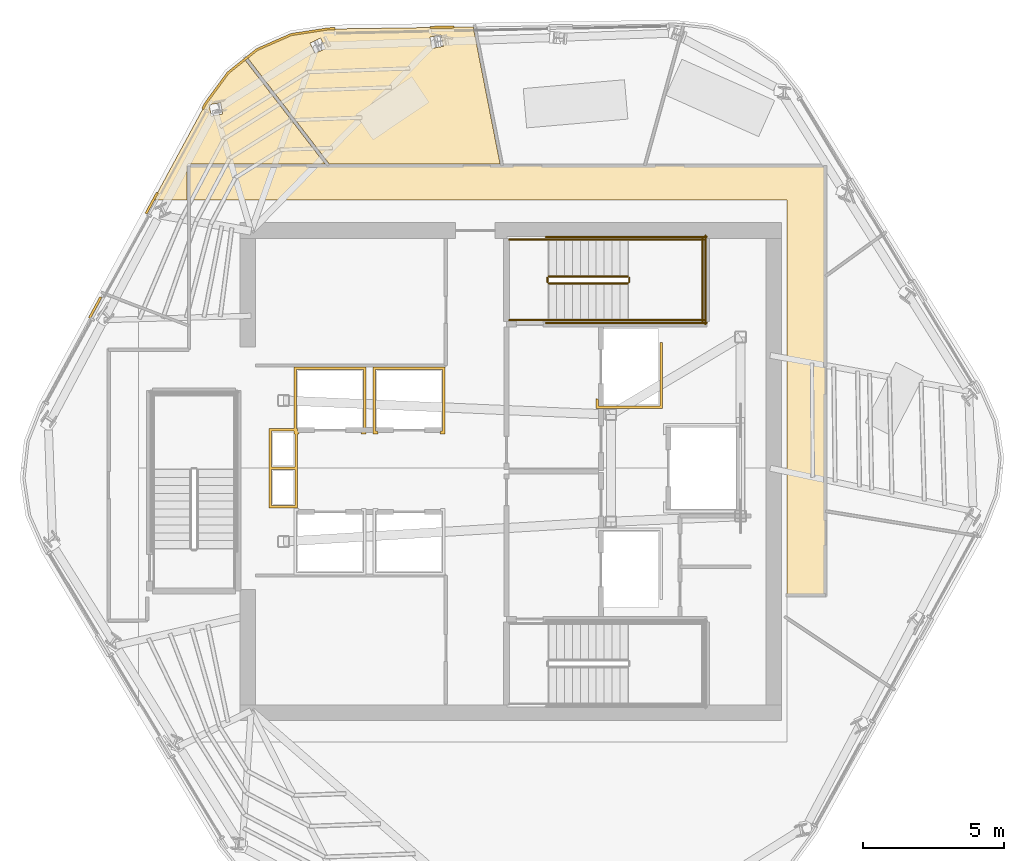
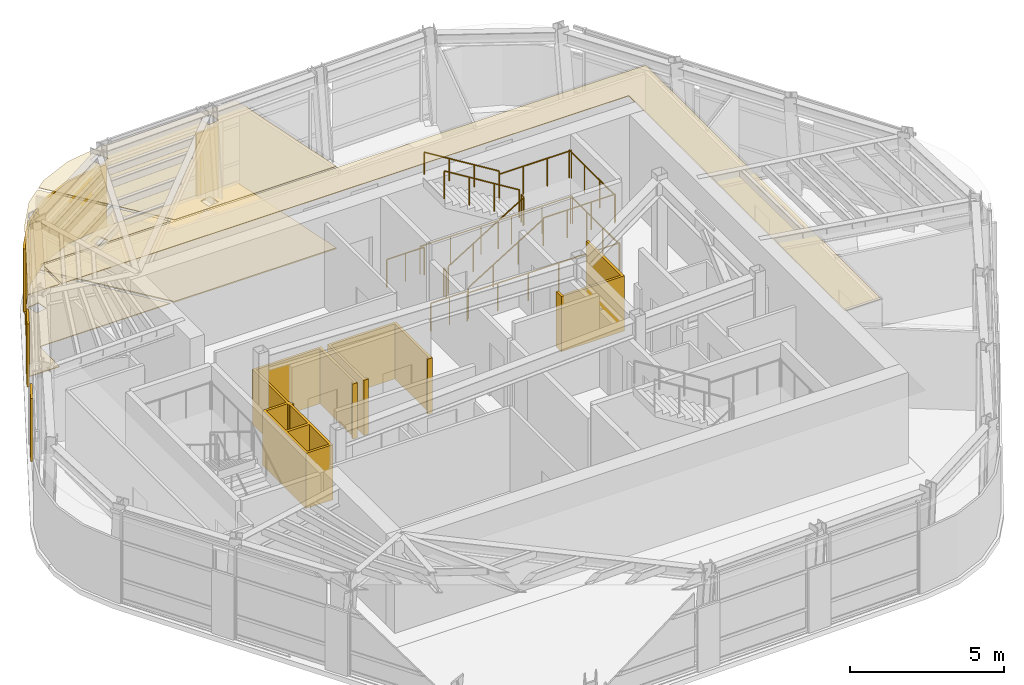
# One storey, part 11 of 13: 14 railings, 12 coverings.
"""IFC4 building model written with IfcOpenShell, lengths in metres."""

from ifc_helpers import new_model, si_unit, direction, frame, origin, origin_2d, place, context, subcontext, project, spatial, polyline, circle, outline, extrude, material, layer, layer_set, type_object, element, save


model = new_model("IFC4")

# Units and contexts
model_context = context("Model", 3, precision=1e-05, world=origin(), true_north=direction((0.0, 1.0)))
body_context = subcontext(model_context, "Body", "Model", "MODEL_VIEW")
ifc_project = project(units=[si_unit("LENGTHUNIT", "METRE"), si_unit("AREAUNIT", "SQUARE_METRE"), si_unit("VOLUMEUNIT", "CUBIC_METRE"), si_unit("PLANEANGLEUNIT", "RADIAN"), si_unit("MASSUNIT", "GRAM", prefix="KILO")], contexts=[model_context])

# Site, building, storey
site_placement = place(None, origin())
site = spatial("IfcSite", under=ifc_project, at=site_placement, CompositionType="ELEMENT")
building_placement = place(site_placement, origin())
building = spatial("IfcBuilding", under=site, at=building_placement, Name="Valkerne Bourse Tower", CompositionType="ELEMENT")
storey_placement = place(building_placement, frame((0.0, 0.0, 288.800048828125)))
storey = spatial("IfcBuildingStorey", under=building, at=storey_placement, Name="L73", CompositionType="ELEMENT", Elevation=288.800048828125)

# Coverings
ifc_material_1 = material(Name="Mineral Fiber Acoustic Ceiling Tile", Category="acoustic")
ifc_layer_1 = layer(ifc_material_1, 0.02490234375)
ifc_layer_set_1 = layer_set([ifc_layer_1], Name="Mineral Fiber Acoustic Ceiling Tile")
covering_type_1 = type_object("IfcCoveringType", Name="COV-CEIL-ACT", PredefinedType="CEILING", material=ifc_layer_set_1)
covering_1_placement = place(storey_placement, frame((0.0, 0.0, 3.25)))
element("IfcCovering", 1, at=covering_1_placement, inside=storey, type_object=covering_type_1, Name="L73 Suspended Ceiling 03", PredefinedType="CEILING", context=body_context, shape_type="SweptSolid", body=[
    extrude(outline(polyline([(37.37353515625, 41.48095703125), (40.216796875, 37.7890625), (35.399658203125, 37.7890625), (35.37109375, 37.78271484375), (35.34814453125, 37.765869140625), (35.3310546875, 37.720703125), (35.3310546875, 36.5), (34.1376953125, 36.5), (35.9990234375, 39.939208984375), (36.78564453125, 41.010009765625), (37.37353515625, 41.48095703125)]), holes=[polyline([(36.5888671875, 39.553955078125), (36.5908203125, 39.555419921875), (36.517822265625, 39.955322265625), (36.11572265625, 39.8828125), (36.114013671875, 39.88134765625), (36.18701171875, 39.4814453125), (36.5888671875, 39.553955078125)])]), origin(), (0.0, 0.0, 1.0), 0.02490234375),
])
covering_2_placement = place(storey_placement, frame((0.0, 0.0, 3.25)))
element("IfcCovering", 2, at=covering_2_placement, inside=storey, type_object=covering_type_1, Name="L73 Suspended Ceiling 07", PredefinedType="CEILING", context=body_context, shape_type="SweptSolid", body=[
    extrude(outline(polyline([(40.337158203125, 42.56640625), (45.471435546875, 42.64013671875), (46.423095703125, 37.7890625), (40.36572265625, 37.7890625), (37.4658203125, 41.5546875), (37.8154296875, 41.835205078125), (39.023681640625, 42.365478515625), (40.337158203125, 42.56640625)]), holes=[polyline([(39.867919921875, 41.700439453125), (40.234619140625, 41.87451171875), (40.058837890625, 42.244384765625), (40.056640625, 42.243408203125), (39.68994140625, 42.069091796875), (39.86572265625, 41.699462890625), (39.867919921875, 41.700439453125)]), polyline([(44.410400390625, 41.953857421875), (44.334228515625, 42.35595703125), (44.33203125, 42.355712890625), (43.93310546875, 42.280029296875), (44.00927734375, 41.8779296875), (44.011474609375, 41.87841796875), (44.410400390625, 41.953857421875)])]), origin(), (0.0, 0.0, 1.0), 0.02490234375),
])
ifc_material_2 = material(Name="Bronze Anodised Aluminium AA 6063-T6", Category="aluminium")
ifc_layer_2 = layer(ifc_material_2, 0.030029296875)
ifc_layer_set_2 = layer_set([ifc_layer_2], Name="Bronze Anodised Aluminium AA 6063-T6")
covering_type_2 = type_object("IfcCoveringType", Name="COV-CEIL-METAL", PredefinedType="CEILING", material=ifc_layer_set_2)
covering_3_placement = place(storey_placement, frame((0.0, 0.0, 3.25)))
element("IfcCovering", 3, at=covering_3_placement, inside=storey, type_object=covering_type_2, Name="L73 Suspended Ceiling 01", PredefinedType="CEILING", context=body_context, shape_type="SweptSolid", body=[
    extrude(outline(polyline([(35.404052734375, 37.716064453125), (57.946044921875, 37.716064453125), (57.946044921875, 22.50390625), (56.60009765625, 22.50390625), (56.60009765625, 36.5), (35.404052734375, 36.5), (35.404052734375, 37.716064453125)])), origin(), (0.0, 0.0, 1.0), 0.02490234375),
])
ifc_layer_3 = layer(ifc_material_2, 0.06005859375)
ifc_layer_set_3 = layer_set([ifc_layer_3], Name="Bronze Anodised Aluminium AA 6063-T6")
covering_type_3 = type_object("IfcCoveringType", Name="COV-CRN-ALUM", PredefinedType="CLADDING", material=ifc_layer_set_3)
covering_4_placement = place(storey_placement, origin())
element("IfcCovering", 4, at=covering_4_placement, inside=storey, type_object=covering_type_3, Name="L73 Wind-Shaped Corner Aluminium Cladding 11", PredefinedType="CLADDING", context=body_context, shape_type="SweptSolid", body=[
    extrude(outline(polyline([(32.23779296875, 33.08154296875), (32.307861328125, 33.043212890625), (31.908203125, 32.30419921875), (31.837890625, 32.343017578125), (32.23779296875, 33.08154296875)])), origin(), (0.0, 0.0, 1.0), 2.5),
])
covering_5_placement = place(storey_placement, origin())
element("IfcCovering", 5, at=covering_5_placement, inside=storey, type_object=covering_type_3, Name="L73 Wind-Shaped Corner Aluminium Cladding 12", PredefinedType="CLADDING", context=body_context, shape_type="SweptSolid", body=[
    extrude(outline(polyline([(34.24267578125, 36.7861328125), (34.312744140625, 36.74755859375), (33.912841796875, 36.0087890625), (33.8427734375, 36.04736328125), (34.24267578125, 36.7861328125)])), origin(), (0.0, 0.0, 1.0), 2.5),
])
covering_6_placement = place(storey_placement, origin())
element("IfcCovering", 6, at=covering_6_placement, inside=storey, type_object=covering_type_3, Name="L73 Wind-Shaped Corner Aluminium Cladding 13", PredefinedType="CLADDING", context=body_context, shape_type="SweptSolid", body=[
    extrude(outline(polyline([(35.9619140625, 39.962890625), (36.753662109375, 41.040771484375), (37.79248046875, 41.873046875), (39.011474609375, 42.408203125), (40.33349609375, 42.6103515625), (40.57373046875, 42.614013671875), (40.5751953125, 42.533935546875), (40.340087890625, 42.530517578125), (39.033935546875, 42.330810546875), (37.83447265625, 41.803955078125), (36.81201171875, 40.98486328125), (36.029541015625, 39.919921875), (35.917724609375, 39.713134765625), (35.84765625, 39.751708984375), (35.9619140625, 39.962890625)])), origin(), (0.0, 0.0, 1.0), 2.5),
])
covering_7_placement = place(storey_placement, origin())
element("IfcCovering", 7, at=covering_7_placement, inside=storey, type_object=covering_type_3, Name="L73 Wind-Shaped Corner Aluminium Cladding 14", PredefinedType="CLADDING", context=body_context, shape_type="SweptSolid", body=[
    extrude(outline(polyline([(44.785400390625, 42.67431640625), (44.787109375, 42.59423828125), (43.947021484375, 42.582275390625), (43.9453125, 42.662109375), (44.785400390625, 42.67431640625)])), origin(), (0.0, 0.0, 1.0), 2.5),
])
ifc_material_3 = material(Name="Galvanised Painted Steel", Category="steel")
ifc_layer_4 = layer(ifc_material_3, 0.044921875)
ifc_layer_set_4 = layer_set([ifc_layer_4], Name="Galvanised Painted Steel")
covering_type_4 = type_object("IfcCoveringType", Name="COV-FLR-RAF", PredefinedType="FLOORING", material=ifc_layer_set_4)
covering_8_placement = place(storey_placement, origin())
element("IfcCovering", 8, at=covering_8_placement, inside=storey, type_object=covering_type_4, Name="L73 Floor Finish 07", PredefinedType="FLOORING", context=body_context, shape_type="SweptSolid", body=[
    extrude(outline(polyline([(40.337158203125, 42.56640625), (45.471435546875, 42.64013671875), (46.423095703125, 37.7890625), (40.36572265625, 37.7890625), (37.4658203125, 41.5546875), (37.8154296875, 41.835205078125), (39.023681640625, 42.365478515625), (40.337158203125, 42.56640625)]), holes=[polyline([(39.867919921875, 41.700439453125), (40.234619140625, 41.87451171875), (40.058837890625, 42.244384765625), (40.056640625, 42.243408203125), (39.68994140625, 42.069091796875), (39.86572265625, 41.699462890625), (39.867919921875, 41.700439453125)]), polyline([(44.410400390625, 41.953857421875), (44.334228515625, 42.35595703125), (44.33203125, 42.355712890625), (43.93310546875, 42.280029296875), (44.00927734375, 41.8779296875), (44.011474609375, 41.87841796875), (44.410400390625, 41.953857421875)])]), origin(), (0.0, 0.0, 1.0), 0.044921875),
])
ifc_material_4 = material(Name="Polished Granite Stone", Category="masonry")
ifc_layer_5 = layer(ifc_material_4, 0.030029296875)
ifc_layer_set_5 = layer_set([ifc_layer_5], Name="Polished Granite Stone")
covering_type_5 = type_object("IfcCoveringType", Name="COV-FLR-TERRAZZO", PredefinedType="FLOORING", material=ifc_layer_set_5)
covering_9_placement = place(storey_placement, origin())
element("IfcCovering", 9, at=covering_9_placement, inside=storey, type_object=covering_type_5, Name="L73 Floor Finish 03", PredefinedType="FLOORING", context=body_context, shape_type="SweptSolid", body=[
    extrude(outline(polyline([(37.37353515625, 41.48095703125), (40.216796875, 37.7890625), (35.399658203125, 37.7890625), (35.37109375, 37.78271484375), (35.34814453125, 37.765869140625), (35.3310546875, 37.720703125), (35.3310546875, 36.5), (34.1376953125, 36.5), (35.9990234375, 39.939208984375), (36.78564453125, 41.010009765625), (37.37353515625, 41.48095703125)]), holes=[polyline([(36.5888671875, 39.553955078125), (36.5908203125, 39.555419921875), (36.517822265625, 39.955322265625), (36.11572265625, 39.8828125), (36.114013671875, 39.88134765625), (36.18701171875, 39.4814453125), (36.5888671875, 39.553955078125)])]), origin(), (0.0, 0.0, 1.0), 0.030029296875),
])
ifc_material_5 = material(Name="Gypsum Shaftwall Liner Board", Category="gypsum")
ifc_layer_6 = layer(ifc_material_5, 0.080078125)
ifc_layer_set_6 = layer_set([ifc_layer_6], Name="Gypsum Shaftwall Liner Board")
covering_type_6 = type_object("IfcCoveringType", Name="COV-SHF-CLAD", PredefinedType="CLADDING", material=ifc_layer_set_6)
covering_10_placement = place(storey_placement, origin())
element("IfcCovering", 10, at=covering_10_placement, inside=storey, type_object=covering_type_6, Name="L73 Hoistway & Riser Shaftwall Liner 04", PredefinedType="CLADDING", context=body_context, shape_type="SweptSolid", body=[
    extrude(outline(polyline([(38.239990234375, 27.0400390625), (38.239990234375, 28.409912109375), (39.1201171875, 28.409912109375), (39.1201171875, 30.580078125), (41.679931640625, 30.580078125), (41.679931640625, 28.219970703125), (41.500732421875, 28.219970703125), (41.511474609375, 28.26220703125), (41.517822265625, 28.305908203125), (41.51806640625, 28.31005859375), (41.590087890625, 28.31005859375), (41.590087890625, 30.489990234375), (39.2099609375, 30.489990234375), (39.2099609375, 28.409912109375), (39.239990234375, 28.409912109375), (39.239990234375, 28.31005859375), (39.281982421875, 28.31005859375), (39.2822265625, 28.305908203125), (39.28857421875, 28.26220703125), (39.29931640625, 28.219970703125), (39.239990234375, 28.219970703125), (39.239990234375, 27.0400390625), (39.239990234375, 26.9599609375), (39.239990234375, 25.590087890625), (38.239990234375, 25.590087890625), (38.239990234375, 26.9599609375), (38.239990234375, 27.0400390625)]), holes=[polyline([(39.14990234375, 26.949951171875), (38.330078125, 26.949951171875), (38.330078125, 25.679931640625), (39.14990234375, 25.679931640625), (39.14990234375, 26.949951171875)]), polyline([(39.14990234375, 28.219970703125), (39.1201171875, 28.219970703125), (39.1201171875, 28.320068359375), (38.330078125, 28.320068359375), (38.330078125, 27.050048828125), (39.14990234375, 27.050048828125), (39.14990234375, 28.219970703125)])]), origin(), (0.0, 0.0, 1.0), 2.179931640625),
])
covering_11_placement = place(storey_placement, origin())
element("IfcCovering", 11, at=covering_11_placement, inside=storey, type_object=covering_type_6, Name="L73 Hoistway & Riser Shaftwall Liner 06", PredefinedType="CLADDING", context=body_context, shape_type="SweptSolid", body=[
    extrude(outline(polyline([(44.47998046875, 28.219970703125), (44.30078125, 28.219970703125), (44.311279296875, 28.26220703125), (44.31787109375, 28.305908203125), (44.318115234375, 28.31005859375), (44.389892578125, 28.31005859375), (44.389892578125, 30.489990234375), (42.010009765625, 30.489990234375), (42.010009765625, 28.31005859375), (42.08203125, 28.31005859375), (42.082275390625, 28.305908203125), (42.088623046875, 28.26220703125), (42.09912109375, 28.219970703125), (41.919921875, 28.219970703125), (41.919921875, 30.580078125), (44.47998046875, 30.580078125), (44.47998046875, 28.219970703125)])), origin(), (0.0, 0.0, 1.0), 2.179931640625),
])
covering_12_placement = place(storey_placement, origin())
element("IfcCovering", 12, at=covering_12_placement, inside=storey, type_object=covering_type_6, Name="L73 Hoistway & Riser Shaftwall Liner 07", PredefinedType="CLADDING", context=body_context, shape_type="SweptSolid", body=[
    extrude(outline(polyline([(49.820068359375, 29.1201171875), (49.820068359375, 29.468017578125), (49.827880859375, 29.46435546875), (49.869384765625, 29.449462890625), (49.909912109375, 29.439208984375), (49.909912109375, 29.2099609375), (52.090087890625, 29.2099609375), (52.090087890625, 31.449951171875), (52.179931640625, 31.449951171875), (52.179931640625, 29.1201171875), (49.820068359375, 29.1201171875)])), origin(), (0.0, 0.0, 1.0), 2.179931640625),
])

# Railings
railing_type_1 = type_object("IfcRailingType", Name="RLG-ST-GUARD-1120", PredefinedType="GUARDRAIL", material=ifc_material_3)
railing_1_placement = place(storey_placement, frame((48.14990234375, 33.550048828125, 0.172607421875)))
element("IfcRailing", 13, at=railing_1_placement, inside=storey, type_object=railing_type_1, Name="L73 ST-2 stair guard 1", PredefinedType="GUARDRAIL", context=body_context, shape_type="SweptSolid", body=[
    extrude(circle(Radius=0.02392578125, at=origin_2d()), frame((0.0, 0.0, 1.09619140625), z_axis=(0.851089632645, 0.0, 0.525020415988), x_axis=(0.0, 1.0, 0.0)), (0.0, 0.0, 1.0), 3.2900390625),
    extrude(circle(Radius=0.02099609375, at=origin_2d()), origin(), (0.0, 0.0, 1.0), 1.072021484375),
    extrude(circle(Radius=0.02099609375, at=origin_2d()), frame((0.933349609375, 0.0, 0.57568359375)), (0.0, 0.0, 1.0), 1.072021484375),
    extrude(circle(Radius=0.02099609375, at=origin_2d()), frame((1.86669921875, 0.0, 1.151611328125)), (0.0, 0.0, 1.0), 1.072021484375),
    extrude(circle(Radius=0.02099609375, at=origin_2d()), frame((2.800048828125, 0.0, 1.727294921875)), (0.0, 0.0, 1.0), 1.072021484375),
])
railing_2_placement = place(storey_placement, frame((51.0, 33.60009765625, 1.89990234375)))
element("IfcRailing", 14, at=railing_2_placement, inside=storey, type_object=railing_type_1, Name="L73 ST-2 stair guard 2", PredefinedType="GUARDRAIL", context=body_context, shape_type="SweptSolid", body=[
    extrude(circle(Radius=0.02392578125, at=origin_2d()), frame((0.0, 0.0, 1.09619140625), z_axis=(0.0, 1.0, 0.0), x_axis=(-1.0, 0.0, 0.0)), (0.0, 0.0, 1.0), 0.14990234375),
    extrude(circle(Radius=0.02099609375, at=origin_2d()), origin(), (0.0, 0.0, 1.0), 1.072021484375),
    extrude(circle(Radius=0.02099609375, at=origin_2d()), frame((0.0, 0.14990234375, 0.0)), (0.0, 0.0, 1.0), 1.072021484375),
])
for number, where, name in (
    (15, (50.949951171875, 32.25, 1.89990234375), "L73 ST-2 stair guard 3"),
    (16, (50.949951171875, 35.10009765625, 1.89990234375), "L73 ST-2 stair guard 4"),
):
    element("IfcRailing", number, at=place(storey_placement, frame(where)), inside=storey, type_object=railing_type_1, Name=name, PredefinedType="GUARDRAIL", context=body_context, shape_type="SweptSolid", body=[
        extrude(circle(Radius=0.02392578125, at=origin_2d()), frame((0.0, 0.0, 1.09619140625), z_axis=(1.0, 0.0, 0.0), x_axis=(0.0, 1.0, 0.0)), (0.0, 0.0, 1.0), 2.699951171875),
        extrude(circle(Radius=0.02099609375, at=origin_2d()), origin(), (0.0, 0.0, 1.0), 1.072021484375),
        extrude(circle(Radius=0.02099609375, at=origin_2d()), frame((0.89990234375, 0.0, 0.0)), (0.0, 0.0, 1.0), 1.072021484375),
        extrude(circle(Radius=0.02099609375, at=origin_2d()), frame((1.800048828125, 0.0, 0.0)), (0.0, 0.0, 1.0), 1.072021484375),
        extrude(circle(Radius=0.02099609375, at=origin_2d()), frame((2.699951171875, 0.0, 0.0)), (0.0, 0.0, 1.0), 1.072021484375),
    ])
railing_3_placement = place(storey_placement, frame((53.60009765625, 32.199951171875, 1.89990234375)))
element("IfcRailing", 17, at=railing_3_placement, inside=storey, type_object=railing_type_1, Name="L73 ST-2 stair guard 5", PredefinedType="GUARDRAIL", context=body_context, shape_type="SweptSolid", body=[
    extrude(circle(Radius=0.02392578125, at=origin_2d()), frame((0.0, 0.0, 1.09619140625), z_axis=(0.0, 1.0, 0.0), x_axis=(-1.0, 0.0, 0.0)), (0.0, 0.0, 1.0), 2.949951171875),
    extrude(circle(Radius=0.02099609375, at=origin_2d()), origin(), (0.0, 0.0, 1.0), 1.072021484375),
    extrude(circle(Radius=0.02099609375, at=origin_2d()), frame((0.0, 0.9833984375, 0.0)), (0.0, 0.0, 1.0), 1.072021484375),
    extrude(circle(Radius=0.02099609375, at=origin_2d()), frame((0.0, 1.966552734375, 0.0)), (0.0, 0.0, 1.0), 1.072021484375),
    extrude(circle(Radius=0.02099609375, at=origin_2d()), frame((0.0, 2.949951171875, 0.0)), (0.0, 0.0, 1.0), 1.072021484375),
])
railing_4_placement = place(storey_placement, frame((50.949951171875, 33.800048828125, 2.07275390625)))
element("IfcRailing", 18, at=railing_4_placement, inside=storey, type_object=railing_type_1, Name="L73 ST-2 stair guard 6", PredefinedType="GUARDRAIL", context=body_context, shape_type="SweptSolid", body=[
    extrude(circle(Radius=0.02392578125, at=origin_2d()), frame((0.0, 0.0, 1.09619140625), z_axis=(-0.851089632645, 0.0, 0.525020415988), x_axis=(0.0, -1.0, 0.0)), (0.0, 0.0, 1.0), 3.2900390625),
    extrude(circle(Radius=0.02099609375, at=origin_2d()), origin(), (0.0, 0.0, 1.0), 1.072021484375),
    extrude(circle(Radius=0.02099609375, at=origin_2d()), frame((-0.933349609375, 0.0, 0.57568359375)), (0.0, 0.0, 1.0), 1.072021484375),
    extrude(circle(Radius=0.02099609375, at=origin_2d()), frame((-1.86669921875, 0.0, 1.151611328125)), (0.0, 0.0, 1.0), 1.072021484375),
    extrude(circle(Radius=0.02099609375, at=origin_2d()), frame((-2.800048828125, 0.0, 1.727294921875)), (0.0, 0.0, 1.0), 1.072021484375),
])
railing_5_placement = place(storey_placement, frame((48.10009765625, 33.60009765625, 0.0)))
element("IfcRailing", 19, at=railing_5_placement, inside=storey, type_object=railing_type_1, Name="L73 ST-2 stair guard 7", PredefinedType="GUARDRAIL", context=body_context, shape_type="SweptSolid", body=[
    extrude(circle(Radius=0.02392578125, at=origin_2d()), frame((0.0, 0.0, 1.09619140625), z_axis=(0.0, 1.0, 0.0), x_axis=(-1.0, 0.0, 0.0)), (0.0, 0.0, 1.0), 0.14990234375),
    extrude(circle(Radius=0.02099609375, at=origin_2d()), origin(), (0.0, 0.0, 1.0), 1.072021484375),
    extrude(circle(Radius=0.02099609375, at=origin_2d()), frame((0.0, 0.14990234375, 0.0)), (0.0, 0.0, 1.0), 1.072021484375),
])
for number, where, name in (
    (20, (46.75, 32.25, 0.0), "L73 ST-2 stair guard 8"),
    (21, (46.75, 35.10009765625, 0.0), "L73 ST-2 stair guard 9"),
):
    element("IfcRailing", number, at=place(storey_placement, frame(where)), inside=storey, type_object=railing_type_1, Name=name, PredefinedType="GUARDRAIL", context=body_context, shape_type="SweptSolid", body=[
        extrude(circle(Radius=0.02392578125, at=origin_2d()), frame((0.0, 0.0, 1.09619140625), z_axis=(1.0, 0.0, 0.0), x_axis=(0.0, 1.0, 0.0)), (0.0, 0.0, 1.0), 1.39990234375),
        extrude(circle(Radius=0.02099609375, at=origin_2d()), origin(), (0.0, 0.0, 1.0), 1.072021484375),
        extrude(circle(Radius=0.02099609375, at=origin_2d()), frame((0.699951171875, 0.0, 0.0)), (0.0, 0.0, 1.0), 1.072021484375),
        extrude(circle(Radius=0.02099609375, at=origin_2d()), frame((1.39990234375, 0.0, 0.0)), (0.0, 0.0, 1.0), 1.072021484375),
    ])
for number, where, name in (
    (22, (48.050048828125, 32.14990234375, 0.0), "L73 ST-2 stair guard 10"),
    (23, (48.050048828125, 35.199951171875, 0.0), "L73 ST-2 stair guard 11"),
):
    element("IfcRailing", number, at=place(storey_placement, frame(where)), inside=storey, type_object=railing_type_1, Name=name, PredefinedType="GUARDRAIL", context=body_context, shape_type="SweptSolid", body=[
        extrude(circle(Radius=0.02392578125, at=origin_2d()), frame((0.0, 0.0, 1.09619140625), z_axis=(1.0, 0.0, 0.0), x_axis=(0.0, 1.0, 0.0)), (0.0, 0.0, 1.0), 5.699951171875),
        extrude(circle(Radius=0.02099609375, at=origin_2d()), origin(), (0.0, 0.0, 1.0), 1.072021484375),
        extrude(circle(Radius=0.02099609375, at=origin_2d()), frame((1.139892578125, 0.0, 0.0)), (0.0, 0.0, 1.0), 1.072021484375),
        extrude(circle(Radius=0.02099609375, at=origin_2d()), frame((2.280029296875, 0.0, 0.0)), (0.0, 0.0, 1.0), 1.072021484375),
        extrude(circle(Radius=0.02099609375, at=origin_2d()), frame((3.419921875, 0.0, 0.0)), (0.0, 0.0, 1.0), 1.072021484375),
        extrude(circle(Radius=0.02099609375, at=origin_2d()), frame((4.56005859375, 0.0, 0.0)), (0.0, 0.0, 1.0), 1.072021484375),
        extrude(circle(Radius=0.02099609375, at=origin_2d()), frame((5.699951171875, 0.0, 0.0)), (0.0, 0.0, 1.0), 1.072021484375),
    ])
railing_6_placement = place(storey_placement, frame((53.699951171875, 32.10009765625, 0.0)))
element("IfcRailing", 24, at=railing_6_placement, inside=storey, type_object=railing_type_1, Name="L73 ST-2 stair guard 12", PredefinedType="GUARDRAIL", context=body_context, shape_type="SweptSolid", body=[
    extrude(circle(Radius=0.02392578125, at=origin_2d()), frame((0.0, 0.0, 1.09619140625), z_axis=(0.0, 1.0, 0.0), x_axis=(-1.0, 0.0, 0.0)), (0.0, 0.0, 1.0), 3.14990234375),
    extrude(circle(Radius=0.02099609375, at=origin_2d()), origin(), (0.0, 0.0, 1.0), 1.072021484375),
    extrude(circle(Radius=0.02099609375, at=origin_2d()), frame((0.0, 1.050048828125, 0.0)), (0.0, 0.0, 1.0), 1.072021484375),
    extrude(circle(Radius=0.02099609375, at=origin_2d()), frame((0.0, 2.099853515625, 0.0)), (0.0, 0.0, 1.0), 1.072021484375),
    extrude(circle(Radius=0.02099609375, at=origin_2d()), frame((0.0, 3.14990234375, 0.0)), (0.0, 0.0, 1.0), 1.072021484375),
])
ifc_material_6 = material(Name="Stainless Steel AISI 316", Category="steel")
railing_type_2 = type_object("IfcRailingType", Name="RLG-ST-HANDRAIL-900", PredefinedType="HANDRAIL", material=ifc_material_6)
railing_7_placement = place(storey_placement, frame((48.14990234375, 32.25, 0.345458984375)))
element("IfcRailing", 25, at=railing_7_placement, inside=storey, type_object=railing_type_2, Name="L73 ST-2 stair handrail 1", PredefinedType="HANDRAIL", context=body_context, shape_type="SweptSolid", body=[
    extrude(circle(Radius=0.02392578125, at=origin_2d()), frame((0.0, 0.0, 0.8759765625), z_axis=(0.851089632645, 0.0, 0.525020415988), x_axis=(0.0, 1.0, 0.0)), (0.0, 0.0, 1.0), 3.2900390625),
    extrude(circle(Radius=0.02099609375, at=origin_2d()), origin(), (0.0, 0.0, 1.0), 0.851806640625),
    extrude(circle(Radius=0.02099609375, at=origin_2d()), frame((0.933349609375, 0.0, 0.57568359375)), (0.0, 0.0, 1.0), 0.851806640625),
    extrude(circle(Radius=0.02099609375, at=origin_2d()), frame((1.86669921875, 0.0, 1.151611328125)), (0.0, 0.0, 1.0), 0.851806640625),
    extrude(circle(Radius=0.02099609375, at=origin_2d()), frame((2.800048828125, 0.0, 1.727294921875)), (0.0, 0.0, 1.0), 0.851806640625),
])
railing_8_placement = place(storey_placement, frame((50.949951171875, 35.10009765625, 2.245361328125)))
element("IfcRailing", 26, at=railing_8_placement, inside=storey, type_object=railing_type_2, Name="L73 ST-2 stair handrail 2", PredefinedType="HANDRAIL", context=body_context, shape_type="SweptSolid", body=[
    extrude(circle(Radius=0.02392578125, at=origin_2d()), frame((0.0, 0.0, 0.8759765625), z_axis=(-0.851089632645, 0.0, 0.525020415988), x_axis=(0.0, -1.0, 0.0)), (0.0, 0.0, 1.0), 3.2900390625),
    extrude(circle(Radius=0.02099609375, at=origin_2d()), origin(), (0.0, 0.0, 1.0), 0.851806640625),
    extrude(circle(Radius=0.02099609375, at=origin_2d()), frame((-0.933349609375, 0.0, 0.57568359375)), (0.0, 0.0, 1.0), 0.851806640625),
    extrude(circle(Radius=0.02099609375, at=origin_2d()), frame((-1.86669921875, 0.0, 1.151611328125)), (0.0, 0.0, 1.0), 0.851806640625),
    extrude(circle(Radius=0.02099609375, at=origin_2d()), frame((-2.800048828125, 0.0, 1.727294921875)), (0.0, 0.0, 1.0), 0.851806640625),
])

save(model, "model.ifc")
